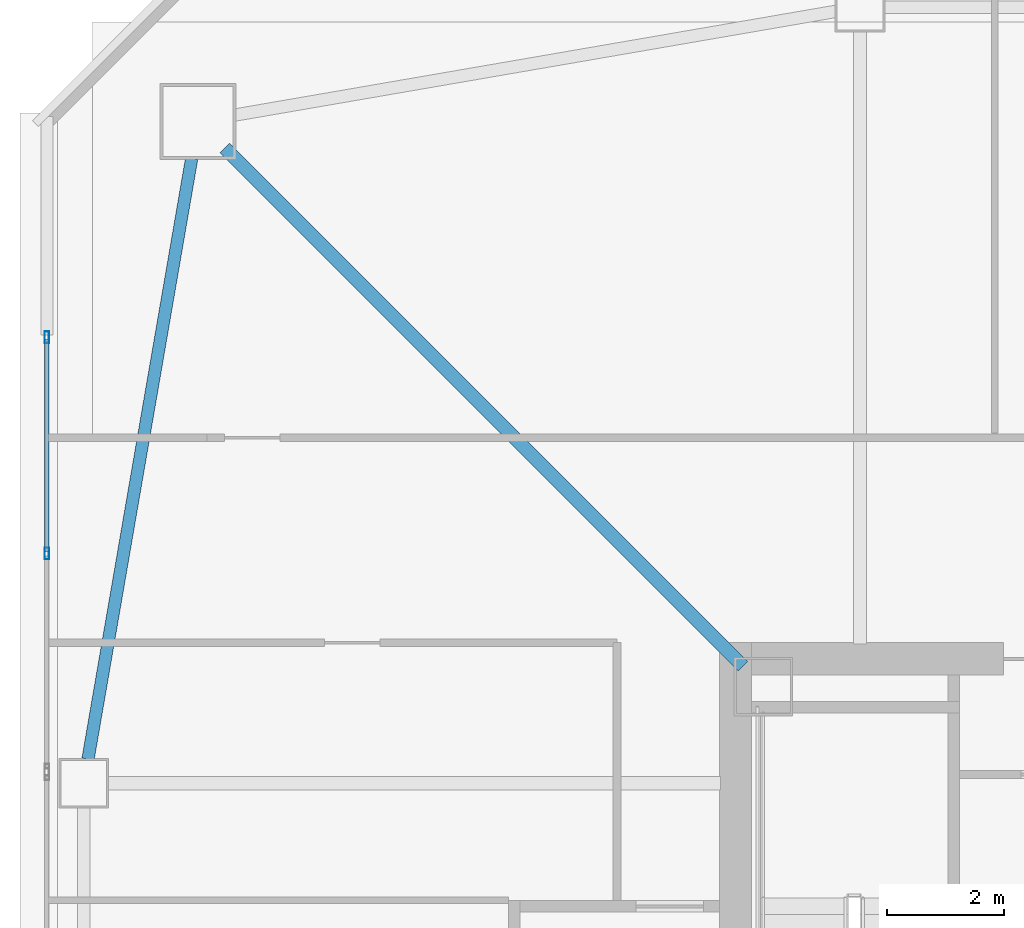
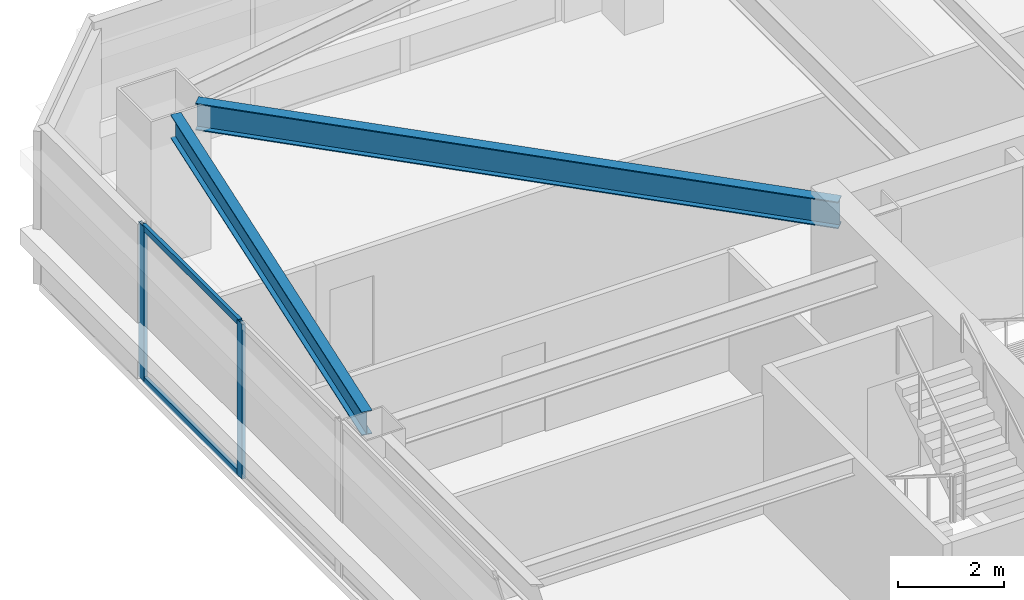
# One storey, part 12 of 44: 4 members, 2 beams, 1 element without a shape of its own.
"""IFC4 building model written with IfcOpenShell, lengths in metres."""

from ifc_helpers import new_model, si_unit, direction, frame, origin, origin_2d, place, context, subcontext, project, spatial, hollow_rectangle, i_section, extrude, material, material_profile, profile_set, type_object, element, aggregate, save


model = new_model("IFC4")

# Units and contexts
model_context = context("Model", 3, precision=1e-05, world=origin(), true_north=direction((0.0, 1.0)))
body_context = subcontext(model_context, "Body", "Model", "MODEL_VIEW")
ifc_project = project(units=[si_unit("LENGTHUNIT", "METRE"), si_unit("AREAUNIT", "SQUARE_METRE"), si_unit("VOLUMEUNIT", "CUBIC_METRE"), si_unit("PLANEANGLEUNIT", "RADIAN"), si_unit("MASSUNIT", "GRAM", prefix="KILO")], contexts=[model_context])

# Site, building, storey
site_placement = place(None, origin())
site = spatial("IfcSite", under=ifc_project, at=site_placement, CompositionType="ELEMENT")
building_placement = place(site_placement, origin())
building = spatial("IfcBuilding", under=site, at=building_placement, Name="Tashvorn Skyway Center", CompositionType="ELEMENT")
storey_placement = place(building_placement, frame((0.0, 0.0, 149.89990234375)))
storey = spatial("IfcBuildingStorey", under=building, at=storey_placement, Name="L40", CompositionType="ELEMENT", Elevation=149.89990234375)

# Beams
ifc_material_1 = material(Name="Steel ASTM A992 Grade 50", Category="steel")
ifc_material_profile_1 = material_profile(ifc_material_1, i_section(OverallWidth=0.22998046875, OverallDepth=0.616943359375, WebThickness=0.01318359375, FlangeThickness=0.022216796875, at=origin_2d()), Name="W24X94")
ifc_profile_set_1 = profile_set([ifc_material_profile_1], Name="Steel ASTM A992 Grade 50")
beam_type_1 = type_object("IfcBeamType", Name="BM-BEAM-W24X94", PredefinedType="BEAM", material=ifc_profile_set_1)
beam_1_placement = place(storey_placement, frame((25.756103515625, 48.243896484375, 3.0615234375), z_axis=(0.707106781187, -0.707106781187, 0.0), x_axis=(0.707106781187, 0.707106781187, 0.0)))
element("IfcBeam", 1, at=beam_1_placement, inside=storey, type_object=beam_type_1, Name="Tower 1 L40 Primary Floor Girder MC-NW", PredefinedType="BEAM", context=body_context, shape_type="SweptSolid", body=[
    extrude(i_section(OverallWidth=0.22998046875, OverallDepth=0.616943359375, WebThickness=0.01318359375, FlangeThickness=0.022216796875, at=origin_2d()), origin(), (0.0, 0.0, 1.0), 12.50732421875),
])
ifc_material_profile_2 = material_profile(ifc_material_1, i_section(OverallWidth=0.2109375, OverallDepth=0.5390625, WebThickness=0.01171875, FlangeThickness=0.018798828125, at=origin_2d()), Name="W21X73")
ifc_profile_set_2 = profile_set([ifc_material_profile_2], Name="Steel ASTM A992 Grade 50")
beam_type_2 = type_object("IfcBeamType", Name="BM-SPANDREL-W21X73", PredefinedType="SPANDREL", material=ifc_profile_set_2)
beam_2_placement = place(storey_placement, frame((25.1904296875, 48.064453125, 3.1005859375), z_axis=(-0.170067250846, -0.985432458462, 0.0), x_axis=(0.985432458462, -0.170067250846, 0.0)))
element("IfcBeam", 2, at=beam_2_placement, inside=storey, type_object=beam_type_2, Name="Tower 1 L40 Spandrel Beam 10", PredefinedType="SPANDREL", context=body_context, shape_type="SweptSolid", body=[
    extrude(i_section(OverallWidth=0.2109375, OverallDepth=0.5390625, WebThickness=0.01171875, FlangeThickness=0.018798828125, at=origin_2d()), origin(), (0.0, 0.0, 1.0), 10.402099609375),
])

# Curtain wall, members
ifc_material_2 = material(Name="Thermally broken bronze-anodized aluminium 6063-T6", Category="aluminium")
curtain_wall_type = type_object("IfcCurtainWallType", Name="CW-CW-Z3", PredefinedType="NOTDEFINED", material=ifc_material_2)
curtain_wall_placement = place(storey_placement, origin())
curtain_wall = element("IfcCurtainWall", 3, at=curtain_wall_placement, inside=storey, type_object=curtain_wall_type, Name="Tower 1 L40 West Unitised Curtain Wall Glazing Group 3", PredefinedType="NOTDEFINED")
ifc_material_profile_3 = material_profile(ifc_material_2, hollow_rectangle(XDim=0.074951171875, YDim=0.199951171875, WallThickness=0.00439453125, at=origin_2d()), Name="ALU-MULL-75x200")
ifc_profile_set_3 = profile_set([ifc_material_profile_3], Name="Thermally broken bronze-anodized aluminium 6063-T6")
member_type_1 = type_object("IfcMemberType", Name="CWM-CW-Z3", PredefinedType="MULLION", material=ifc_profile_set_3)
member_1_placement = place(storey_placement, frame((22.719970703125, 41.322265625, 0.0), z_axis=(0.0, 0.0, 1.0), x_axis=(-1.0, 0.0, 0.0)))
member_1 = element("IfcMember", 4, at=member_1_placement, type_object=member_type_1, Name="CW-Z3 mullion 2", PredefinedType="MULLION", context=body_context, shape_type="SweptSolid", body=[
    extrude(hollow_rectangle(XDim=0.074951171875, YDim=0.199951171875, WallThickness=0.00439453125, at=origin_2d()), origin(), (0.0, 0.0, 1.0), 3.550048828125),
])
member_2_placement = place(storey_placement, frame((22.719970703125, 45.013671875, 0.0), z_axis=(0.0, 0.0, 1.0), x_axis=(-1.0, 0.0, 0.0)))
member_2 = element("IfcMember", 5, at=member_2_placement, type_object=member_type_1, Name="CW-Z3 mullion 3", PredefinedType="MULLION", context=body_context, shape_type="SweptSolid", body=[
    extrude(hollow_rectangle(XDim=0.074951171875, YDim=0.199951171875, WallThickness=0.00439453125, at=origin_2d()), origin(), (0.0, 0.0, 1.0), 3.550048828125),
])
ifc_material_profile_4 = material_profile(ifc_material_2, hollow_rectangle(XDim=0.074951171875, YDim=0.139892578125, WallThickness=0.004150390625, at=origin_2d()), Name="ALU-TRAN-75x140")
ifc_profile_set_4 = profile_set([ifc_material_profile_4], Name="Thermally broken bronze-anodized aluminium 6063-T6")
member_type_2 = type_object("IfcMemberType", Name="CWT-CW-Z3", PredefinedType="USERDEFINED", material=ifc_profile_set_4)
member_3_placement = place(storey_placement, frame((22.719970703125, 41.359619140625, 0.03759765625), z_axis=(0.0, 1.0, 0.0), x_axis=(-1.0, 0.0, 0.0)))
member_3 = element("IfcMember", 6, at=member_3_placement, type_object=member_type_2, Name="CW-Z3 transom 2.1", ObjectType="TRANSOM", PredefinedType="USERDEFINED", context=body_context, shape_type="SweptSolid", body=[
    extrude(hollow_rectangle(XDim=0.074951171875, YDim=0.139892578125, WallThickness=0.004150390625, at=origin_2d()), origin(), (0.0, 0.0, 1.0), 3.616455078125),
])
member_4_placement = place(storey_placement, frame((22.719970703125, 41.359619140625, 3.5126953125), z_axis=(0.0, 1.0, 0.0), x_axis=(-1.0, 0.0, 0.0)))
member_4 = element("IfcMember", 7, at=member_4_placement, type_object=member_type_2, Name="CW-Z3 transom 2.2", ObjectType="TRANSOM", PredefinedType="USERDEFINED", context=body_context, shape_type="SweptSolid", body=[
    extrude(hollow_rectangle(XDim=0.074951171875, YDim=0.139892578125, WallThickness=0.004150390625, at=origin_2d()), origin(), (0.0, 0.0, 1.0), 3.616455078125),
])
aggregate(curtain_wall, [member_1, member_2, member_3, member_4])

save(model, "model.ifc")
